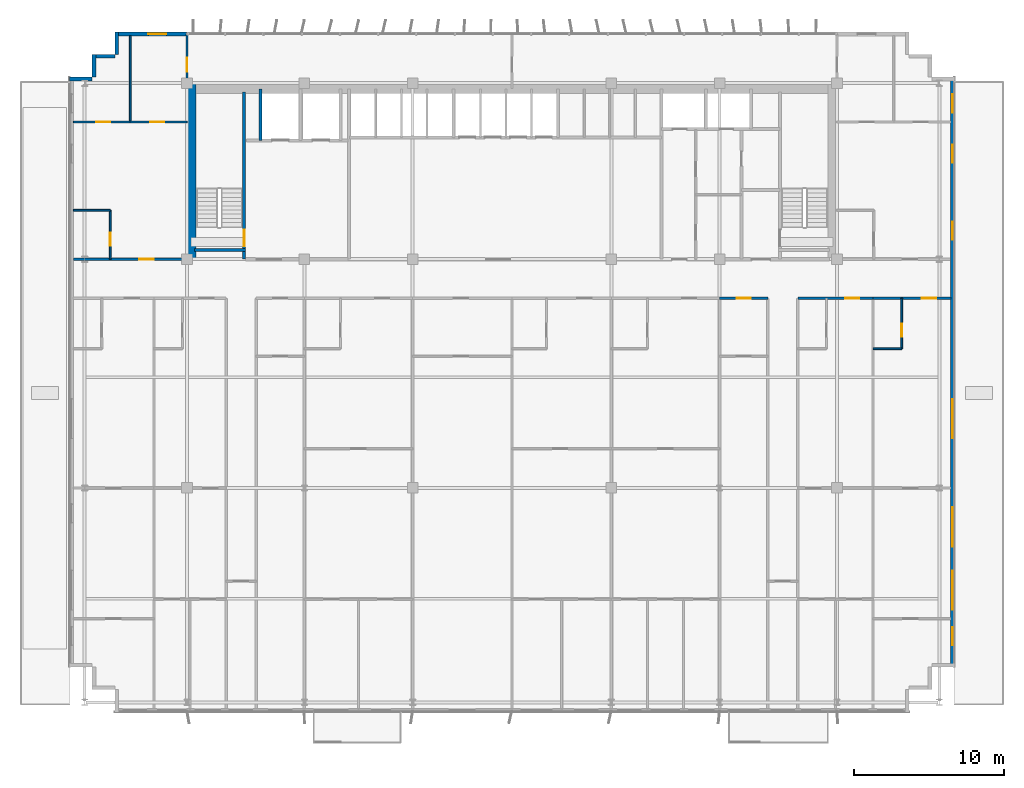
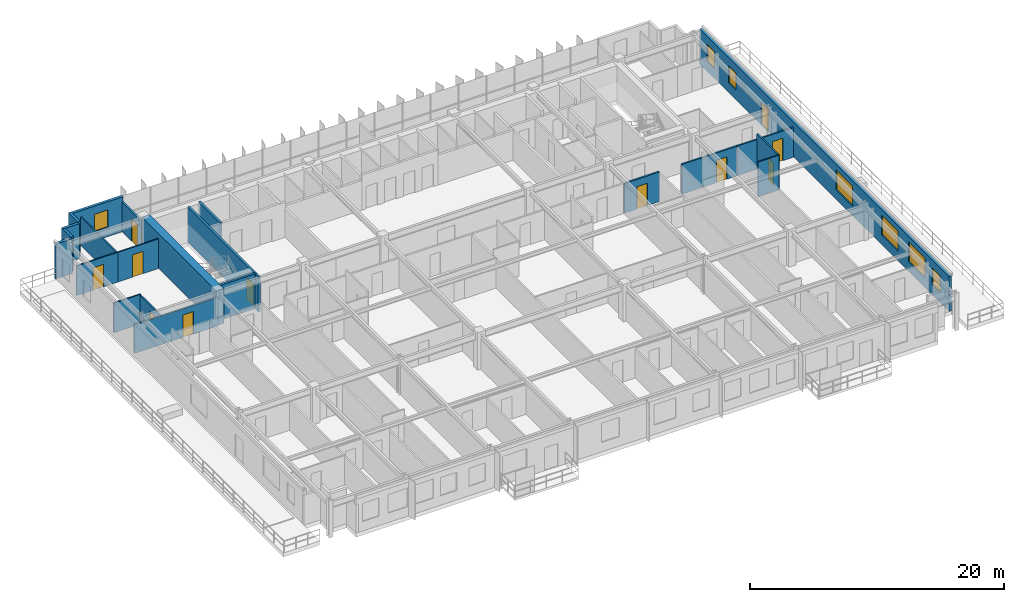
# One storey, part 17 of 22: 22 walls, 11 doors, 7 windows, 18 openings.
"""IFC4 building model written with IfcOpenShell, lengths in metres."""

from ifc_helpers import new_model, si_unit, direction, frame, frame_2d, origin, place, context, subcontext, project, spatial, rectangle, extrude, source, transform, mapped, material, layer, layer_set, type_object, element, fill, save


model = new_model("IFC4")

# Units and contexts
model_context = context("Model", 3, precision=1e-05, world=origin(), true_north=direction((0.0, 1.0)))
body_context = subcontext(model_context, "Body", "Model", "MODEL_VIEW")
ifc_project = project(units=[si_unit("LENGTHUNIT", "METRE"), si_unit("AREAUNIT", "SQUARE_METRE"), si_unit("VOLUMEUNIT", "CUBIC_METRE"), si_unit("PLANEANGLEUNIT", "RADIAN"), si_unit("MASSUNIT", "GRAM", prefix="KILO")], contexts=[model_context])

# Site, building, storey
site_placement = place(None, origin())
site = spatial("IfcSite", under=ifc_project, at=site_placement, CompositionType="ELEMENT")
building_placement = place(site_placement, origin())
building = spatial("IfcBuilding", under=site, at=building_placement, Name="Trelvane Seafront Commons", CompositionType="ELEMENT")
storey_placement = place(building_placement, frame((0.0, 0.0, 132.10009765625)))
storey = spatial("IfcBuildingStorey", under=building, at=storey_placement, Name="L34", CompositionType="ELEMENT", Elevation=132.10009765625)

# Wall, opening, window
ifc_material_1 = material(Name="Precast concrete C40/50", Category="concrete")
ifc_layer_1 = layer(ifc_material_1, 0.239990234375, Name="ARCH-WALL-EXT240")
ifc_layer_set_1 = layer_set([ifc_layer_1], Name="Precast concrete C40/50")
wall_type_1 = type_object("IfcWallType", Name="ARCH-WALL-EXT240", PredefinedType="SOLIDWALL", material=ifc_layer_set_1)
wall_1_placement = place(storey_placement, frame((10.89990234375, 48.3701171875, 0.0), z_axis=(0.0, 0.0, 1.0), x_axis=(1.0, 0.0, 0.0)))
wall_1 = element("IfcWall", 1, at=wall_1_placement, inside=storey, type_object=wall_type_1, Name="EW-L34-NW-0653", PredefinedType="SOLIDWALL", context=body_context, shape_type="SweptSolid", body=[
    extrude(rectangle(XDim=4.7001953125, YDim=0.239990234375, at=frame_2d((2.35009765625, 0.0))), origin(), (0.0, 0.0, 1.0), 3.349853515625),
])
opening_1_placement = place(wall_1_placement, frame((2.132080078125, 0.0, 0.89990234375)))
opening_1 = element("IfcOpeningElement", 2, at=opening_1_placement, cuts=wall_1, Name="Opening W05", PredefinedType="OPENING", context=body_context, shape_type="SweptSolid", body=[
    extrude(rectangle(XDim=1.199951171875, YDim=1.64990234375, at=frame_2d((0.60009765625, 0.824951171875))), frame((0.0, 0.1298828125, 0.0), z_axis=(0.0, -1.0, 0.0), x_axis=(1.0, 0.0, 0.0)), (0.0, 0.0, 1.0), 0.260009765625),
])
ifc_material_2 = material(Name="Low-E coastal double glazing", Category="glass")
window_type_1 = type_object("IfcWindowType", Name="ARCH-WIN-W05", PartitioningType="SINGLE_PANEL", PredefinedType="WINDOW", material=ifc_material_2)
shared_shape_1 = source(origin(), body_context, "Body", "SweptSolid", [
    extrude(rectangle(XDim=1.199951171875, YDim=1.64990234375, at=frame_2d((0.60009765625, 0.824951171875))), frame((0.0, 0.030029296875, 0.0), z_axis=(0.0, -1.0, 0.0), x_axis=(1.0, 0.0, 0.0)), (0.0, 0.0, 1.0), 0.06005859375),
])
window_1_placement = place(opening_1_placement, origin())
window_1 = element("IfcWindow", 3, at=window_1_placement, inside=storey, type_object=window_type_1, Name="WIN-L34-00759", OverallHeight=1.64990234375, OverallWidth=1.199951171875, PartitioningType="SINGLE_PANEL", PredefinedType="WINDOW", context=body_context, shape_type="MappedRepresentation", body=[
    mapped(shared_shape_1, transform((0.0, 0.0, 0.0), x_axis=(1.0, 0.0, 0.0), y_axis=(0.0, 1.0, 0.0), z_axis=(0.0, 0.0, 1.0), scale=1.0)),
])
fill(opening_1, window_1)

# Walls
for number, where, z_axis, x_axis, name in (
    (4, (7.800048828125, 45.3798828125, 0.0), (0.0, 0.0, 1.0), (1.0, 0.0, 0.0), "EW-L34-00659"),
    (5, (9.419921875, 45.5, 0.0), (0.0, 0.0, 1.0), (0.0, 1.0, 0.0), "EW-L34-00660"),
    (6, (9.300048828125, 46.8798828125, 0.0), (0.0, 0.0, 1.0), (1.0, 0.0, 0.0), "EW-L34-00661"),
    (7, (10.919921875, 47.0, 0.0), (0.0, 0.0, 1.0), (0.0, 1.0, 0.0), "EW-L34-00662"),
):
    element("IfcWall", number, at=place(storey_placement, frame(where, z_axis=z_axis, x_axis=x_axis)), inside=storey, type_object=wall_type_1, Name=name, PredefinedType="SOLIDWALL", context=body_context, shape_type="SweptSolid", body=[
        extrude(rectangle(XDim=1.5, YDim=0.239990234375, at=frame_2d((0.75, 0.0))), origin(), (0.0, 0.0, 1.0), 3.349853515625),
    ])

# Wall, openings, windows, door
wall_2_placement = place(storey_placement, frame((66.47998046875, 45.5, 0.0), z_axis=(0.0, 0.0, 1.0), x_axis=(0.0, -1.0, 0.0)))
wall_2 = element("IfcWall", 8, at=wall_2_placement, inside=storey, type_object=wall_type_1, Name="EW-L34-00667", PredefinedType="SOLIDWALL", context=body_context, shape_type="SweptSolid", body=[
    extrude(rectangle(XDim=39.199951171875, YDim=0.239990234375, at=frame_2d((19.60009765625, 0.0))), origin(), (0.0, 0.0, 1.0), 3.349853515625),
])
opening_2_placement = place(wall_2_placement, frame((9.60009765625, 0.0, 0.0)))
opening_2 = element("IfcOpeningElement", 9, at=opening_2_placement, cuts=wall_2, Name="Opening TD-L34-80", PredefinedType="OPENING", context=body_context, shape_type="SweptSolid", body=[
    extrude(rectangle(XDim=1.199951171875, YDim=2.199951171875, at=frame_2d((0.60009765625, 1.10009765625))), frame((0.0, 0.1298828125, 0.0), z_axis=(0.0, -1.0, 0.0), x_axis=(1.0, 0.0, 0.0)), (0.0, 0.0, 1.0), 0.260009765625),
])
opening_3_placement = place(wall_2_placement, frame((36.550048828125, 0.0, 0.919921875)))
opening_3 = element("IfcOpeningElement", 10, at=opening_3_placement, cuts=wall_2, Name="Opening W05", PredefinedType="OPENING", context=body_context, shape_type="SweptSolid", body=[
    extrude(rectangle(XDim=1.199951171875, YDim=1.64990234375, at=frame_2d((0.60009765625, 0.824951171875))), frame((0.0, 0.1298828125, 0.0), z_axis=(0.0, -1.0, 0.0), x_axis=(1.0, 0.0, 0.0)), (0.0, 0.0, 1.0), 0.260009765625),
])
opening_4_placement = place(wall_2_placement, frame((32.800048828125, 0.0, 0.919921875)))
opening_4 = element("IfcOpeningElement", 11, at=opening_4_placement, cuts=wall_2, Name="Opening W04", PredefinedType="OPENING", context=body_context, shape_type="SweptSolid", body=[
    extrude(rectangle(XDim=2.60009765625, YDim=1.89990234375, at=frame_2d((1.300048828125, 0.949951171875))), frame((0.0, 0.1298828125, 0.0), z_axis=(0.0, -1.0, 0.0), x_axis=(1.0, 0.0, 0.0)), (0.0, 0.0, 1.0), 0.260009765625),
])
opening_5_placement = place(wall_2_placement, frame((28.60009765625, 0.0, 0.919921875)))
opening_5 = element("IfcOpeningElement", 12, at=opening_5_placement, cuts=wall_2, Name="Opening W04", PredefinedType="OPENING", context=body_context, shape_type="SweptSolid", body=[
    extrude(rectangle(XDim=2.60009765625, YDim=1.89990234375, at=frame_2d((1.300048828125, 0.949951171875))), frame((0.0, 0.1298828125, 0.0), z_axis=(0.0, -1.0, 0.0), x_axis=(1.0, 0.0, 0.0)), (0.0, 0.0, 1.0), 0.260009765625),
])
opening_6_placement = place(wall_2_placement, frame((21.39990234375, 0.0, 0.919921875)))
opening_6 = element("IfcOpeningElement", 13, at=opening_6_placement, cuts=wall_2, Name="Opening W04", PredefinedType="OPENING", context=body_context, shape_type="SweptSolid", body=[
    extrude(rectangle(XDim=2.60009765625, YDim=1.89990234375, at=frame_2d((1.300048828125, 0.949951171875))), frame((0.0, 0.1298828125, 0.0), z_axis=(0.0, -1.0, 0.0), x_axis=(1.0, 0.0, 0.0)), (0.0, 0.0, 1.0), 0.260009765625),
])
opening_7_placement = place(wall_2_placement, frame((4.5, 0.0, 0.919921875)))
opening_7 = element("IfcOpeningElement", 14, at=opening_7_placement, cuts=wall_2, Name="Opening W05", PredefinedType="OPENING", context=body_context, shape_type="SweptSolid", body=[
    extrude(rectangle(XDim=1.199951171875, YDim=1.64990234375, at=frame_2d((0.60009765625, 0.824951171875))), frame((0.0, 0.1298828125, 0.0), z_axis=(0.0, -1.0, 0.0), x_axis=(1.0, 0.0, 0.0)), (0.0, 0.0, 1.0), 0.260009765625),
])
opening_8_placement = place(wall_2_placement, frame((1.14990234375, 0.0, 0.919921875)))
opening_8 = element("IfcOpeningElement", 15, at=opening_8_placement, cuts=wall_2, Name="Opening W05", PredefinedType="OPENING", context=body_context, shape_type="SweptSolid", body=[
    extrude(rectangle(XDim=1.199951171875, YDim=1.64990234375, at=frame_2d((0.60009765625, 0.824951171875))), frame((0.0, 0.1298828125, 0.0), z_axis=(0.0, -1.0, 0.0), x_axis=(1.0, 0.0, 0.0)), (0.0, 0.0, 1.0), 0.260009765625),
])
window_type_2 = type_object("IfcWindowType", Name="ARCH-WIN-W04", PartitioningType="SINGLE_PANEL", PredefinedType="WINDOW", material=ifc_material_2)
shared_shape_2 = source(origin(), body_context, "Body", "SweptSolid", [
    extrude(rectangle(XDim=2.60009765625, YDim=1.89990234375, at=frame_2d((1.300048828125, 0.949951171875))), frame((0.0, 0.030029296875, 0.0), z_axis=(0.0, -1.0, 0.0), x_axis=(1.0, 0.0, 0.0)), (0.0, 0.0, 1.0), 0.06005859375),
])
window_2_placement = place(opening_4_placement, origin())
window_2 = element("IfcWindow", 16, at=window_2_placement, inside=storey, type_object=window_type_2, Name="WIN-L34-EW-00767", OverallHeight=1.89990234375, OverallWidth=2.60009765625, PartitioningType="SINGLE_PANEL", PredefinedType="WINDOW", context=body_context, shape_type="MappedRepresentation", body=[
    mapped(shared_shape_2, transform((0.0, 0.0, 0.0), x_axis=(1.0, 0.0, 0.0), y_axis=(0.0, 1.0, 0.0), z_axis=(0.0, 0.0, 1.0), scale=1.0)),
])
fill(opening_4, window_2)
window_3_placement = place(opening_5_placement, origin())
window_3 = element("IfcWindow", 17, at=window_3_placement, inside=storey, type_object=window_type_2, Name="WIN-L34-EW-00768", OverallHeight=1.89990234375, OverallWidth=2.60009765625, PartitioningType="SINGLE_PANEL", PredefinedType="WINDOW", context=body_context, shape_type="MappedRepresentation", body=[
    mapped(shared_shape_2, transform((0.0, 0.0, 0.0), x_axis=(1.0, 0.0, 0.0), y_axis=(0.0, 1.0, 0.0), z_axis=(0.0, 0.0, 1.0), scale=1.0)),
])
fill(opening_5, window_3)
window_4_placement = place(opening_6_placement, origin())
window_4 = element("IfcWindow", 18, at=window_4_placement, inside=storey, type_object=window_type_2, Name="WIN-L34-EW-00769", OverallHeight=1.89990234375, OverallWidth=2.60009765625, PartitioningType="SINGLE_PANEL", PredefinedType="WINDOW", context=body_context, shape_type="MappedRepresentation", body=[
    mapped(shared_shape_2, transform((0.0, 0.0, 0.0), x_axis=(1.0, 0.0, 0.0), y_axis=(0.0, 1.0, 0.0), z_axis=(0.0, 0.0, 1.0), scale=1.0)),
])
fill(opening_6, window_4)
window_5_placement = place(opening_3_placement, origin())
window_5 = element("IfcWindow", 19, at=window_5_placement, inside=storey, type_object=window_type_1, Name="WIN-L34-EW-00766", OverallHeight=1.64990234375, OverallWidth=1.199951171875, PartitioningType="SINGLE_PANEL", PredefinedType="WINDOW", context=body_context, shape_type="MappedRepresentation", body=[
    mapped(shared_shape_1, transform((0.0, 0.0, 0.0), x_axis=(1.0, 0.0, 0.0), y_axis=(0.0, 1.0, 0.0), z_axis=(0.0, 0.0, 1.0), scale=1.0)),
])
fill(opening_3, window_5)
window_6_placement = place(opening_7_placement, origin())
window_6 = element("IfcWindow", 20, at=window_6_placement, inside=storey, type_object=window_type_1, Name="WIN-L34-EW-00770", OverallHeight=1.64990234375, OverallWidth=1.199951171875, PartitioningType="SINGLE_PANEL", PredefinedType="WINDOW", context=body_context, shape_type="MappedRepresentation", body=[
    mapped(shared_shape_1, transform((0.0, 0.0, 0.0), x_axis=(1.0, 0.0, 0.0), y_axis=(0.0, 1.0, 0.0), z_axis=(0.0, 0.0, 1.0), scale=1.0)),
])
fill(opening_7, window_6)
window_7_placement = place(opening_8_placement, origin())
window_7 = element("IfcWindow", 21, at=window_7_placement, inside=storey, type_object=window_type_1, Name="WIN-L34-EW-00771", OverallHeight=1.64990234375, OverallWidth=1.199951171875, PartitioningType="SINGLE_PANEL", PredefinedType="WINDOW", context=body_context, shape_type="MappedRepresentation", body=[
    mapped(shared_shape_1, transform((0.0, 0.0, 0.0), x_axis=(1.0, 0.0, 0.0), y_axis=(0.0, 1.0, 0.0), z_axis=(0.0, 0.0, 1.0), scale=1.0)),
])
fill(opening_8, window_7)
ifc_material_3 = material(Name="Powder-coated aluminium frame", Category="aluminium")
door_type_1 = type_object("IfcDoorType", Name="ARCH-DR-BAL1200", OperationType="NOTDEFINED", PredefinedType="DOOR", material=ifc_material_3)
shared_shape_3 = source(origin(), body_context, "Body", "SweptSolid", [
    extrude(rectangle(XDim=1.199951171875, YDim=2.199951171875, at=frame_2d((0.60009765625, 1.10009765625))), frame((0.0, 0.02490234375, 0.0), z_axis=(0.0, -1.0, 0.0), x_axis=(1.0, 0.0, 0.0)), (0.0, 0.0, 1.0), 0.050048828125),
])
door_1_placement = place(opening_2_placement, origin())
door_1 = element("IfcDoor", 22, at=door_1_placement, inside=storey, type_object=door_type_1, Name="L34 Setback Terrace Access Door", OperationType="SINGLE_SWING_RIGHT", OverallHeight=2.199951171875, OverallWidth=1.199951171875, PredefinedType="DOOR", context=body_context, shape_type="MappedRepresentation", body=[
    mapped(shared_shape_3, transform((0.0, 0.0, 0.0), x_axis=(1.0, 0.0, 0.0), y_axis=(0.0, 1.0, 0.0), z_axis=(0.0, 0.0, 1.0), scale=1.0)),
])
fill(opening_2, door_1)

# Wall, opening, door
ifc_material_4 = material(Name="Gypsum Drywall Acoustic Partition")
ifc_layer_2 = layer(ifc_material_4, 0.1201171875, Name="ARCH-WALL-PART120")
ifc_layer_set_2 = layer_set([ifc_layer_2], Name="Gypsum Drywall Acoustic Partition")
wall_type_2 = type_object("IfcWallType", Name="ARCH-WALL-PART120", PredefinedType="PARTITIONING", material=ifc_layer_set_2)
wall_3_placement = place(storey_placement, frame((10.5, 33.39990234375, 0.0), z_axis=(0.0, 0.0, 1.0), x_axis=(0.0, 1.0, 0.0)))
wall_3 = element("IfcWall", 23, at=wall_3_placement, inside=storey, type_object=wall_type_2, Name="W-L34-NW-BE-038", PredefinedType="PARTITIONING", context=body_context, shape_type="SweptSolid", body=[
    extrude(rectangle(XDim=3.25, YDim=0.1201171875, at=frame_2d((1.625, 0.0))), origin(), (0.0, 0.0, 1.0), 2.75),
])
opening_9_placement = place(wall_3_placement, frame((0.89990234375, 0.0, 0.0)))
opening_9 = element("IfcOpeningElement", 24, at=opening_9_placement, cuts=wall_3, Name="Opening D-L34-18", PredefinedType="OPENING", context=body_context, shape_type="SweptSolid", body=[
    extrude(rectangle(XDim=0.85009765625, YDim=2.10009765625, at=frame_2d((0.425048828125, 1.050048828125))), frame((0.0, 0.070068359375, 0.0), z_axis=(0.0, -1.0, 0.0), x_axis=(1.0, 0.0, 0.0)), (0.0, 0.0, 1.0), 0.14013671875),
])
ifc_material_5 = material(Name="Acoustic timber door leaf", Category="wood")
door_type_2 = type_object("IfcDoorType", Name="ARCH-DR-INT850", OperationType="NOTDEFINED", PredefinedType="DOOR", material=ifc_material_5)
shared_shape_4 = source(origin(), body_context, "Body", "SweptSolid", [
    extrude(rectangle(XDim=0.85009765625, YDim=2.10009765625, at=frame_2d((0.425048828125, 1.050048828125))), frame((0.0, 0.02490234375, 0.0), z_axis=(0.0, -1.0, 0.0), x_axis=(1.0, 0.0, 0.0)), (0.0, 0.0, 1.0), 0.050048828125),
])
door_2_placement = place(opening_9_placement, origin())
door_2 = element("IfcDoor", 25, at=door_2_placement, inside=storey, type_object=door_type_2, Name="L34 Door 18", OperationType="SINGLE_SWING_RIGHT", OverallHeight=2.10009765625, OverallWidth=0.85009765625, PredefinedType="DOOR", context=body_context, shape_type="MappedRepresentation", body=[
    mapped(shared_shape_4, transform((0.0, 0.0, 0.0), x_axis=(1.0, 0.0, 0.0), y_axis=(0.0, 1.0, 0.0), z_axis=(0.0, 0.0, 1.0), scale=1.0)),
])
fill(opening_9, door_2)

# Wall
wall_4_placement = place(storey_placement, frame((8.050048828125, 36.64990234375, 0.0), z_axis=(0.0, 0.0, 1.0), x_axis=(1.0, 0.0, 0.0)))
element("IfcWall", 26, at=wall_4_placement, inside=storey, type_object=wall_type_2, Name="W-L34-NW-BN-039", PredefinedType="PARTITIONING", context=body_context, shape_type="SweptSolid", body=[
    extrude(rectangle(XDim=2.449951171875, YDim=0.1201171875, at=frame_2d((1.22509765625, 0.0))), origin(), (0.0, 0.0, 1.0), 2.849853515625),
])

# Wall, opening, door
wall_5_placement = place(storey_placement, frame((8.050048828125, 42.52001953125, 0.0), z_axis=(0.0, 0.0, 1.0), x_axis=(1.0, 0.0, 0.0)))
wall_5 = element("IfcWall", 27, at=wall_5_placement, inside=storey, type_object=wall_type_2, Name="W-L34-NW-KB1-040", PredefinedType="PARTITIONING", context=body_context, shape_type="SweptSolid", body=[
    extrude(rectangle(XDim=3.77490234375, YDim=0.1201171875, at=frame_2d((1.887451171875, 0.0))), origin(), (0.0, 0.0, 1.0), 2.849853515625),
])
opening_10_placement = place(wall_5_placement, frame((1.506103515625, 0.0, 0.0)))
opening_10 = element("IfcOpeningElement", 28, at=opening_10_placement, cuts=wall_5, Name="Opening D-L34-19", PredefinedType="OPENING", context=body_context, shape_type="SweptSolid", body=[
    extrude(rectangle(XDim=0.949951171875, YDim=2.14990234375, at=frame_2d((0.47509765625, 1.074951171875))), frame((0.0, 0.070068359375, 0.0), z_axis=(0.0, -1.0, 0.0), x_axis=(1.0, 0.0, 0.0)), (0.0, 0.0, 1.0), 0.14013671875),
])
door_type_3 = type_object("IfcDoorType", Name="ARCH-DR-INT950", OperationType="NOTDEFINED", PredefinedType="DOOR", material=ifc_material_5)
shared_shape_5 = source(origin(), body_context, "Body", "SweptSolid", [
    extrude(rectangle(XDim=0.949951171875, YDim=2.14990234375, at=frame_2d((0.47509765625, 1.074951171875))), frame((0.0, 0.02490234375, 0.0), z_axis=(0.0, -1.0, 0.0), x_axis=(1.0, 0.0, 0.0)), (0.0, 0.0, 1.0), 0.050048828125),
])
door_3_placement = place(opening_10_placement, origin())
door_3 = element("IfcDoor", 29, at=door_3_placement, inside=storey, type_object=door_type_3, Name="L34 Door 19", OperationType="SINGLE_SWING_LEFT", OverallHeight=2.14990234375, OverallWidth=0.949951171875, PredefinedType="DOOR", context=body_context, shape_type="MappedRepresentation", body=[
    mapped(shared_shape_5, transform((0.0, 0.0, 0.0), x_axis=(1.0, 0.0, 0.0), y_axis=(0.0, 1.0, 0.0), z_axis=(0.0, 0.0, 1.0), scale=1.0)),
])
fill(opening_10, door_3)

wall_6_placement = place(storey_placement, frame((11.824951171875, 42.52001953125, 0.0), z_axis=(0.0, 0.0, 1.0), x_axis=(1.0, 0.0, 0.0)))
wall_6 = element("IfcWall", 30, at=wall_6_placement, inside=storey, type_object=wall_type_2, Name="W-L34-NW-KB2-041", PredefinedType="PARTITIONING", context=body_context, shape_type="SweptSolid", body=[
    extrude(rectangle(XDim=3.775146484375, YDim=0.1201171875, at=frame_2d((1.8876953125, 0.0))), origin(), (0.0, 0.0, 1.0), 2.849853515625),
])
opening_11_placement = place(wall_6_placement, frame((1.319091796875, 0.0, 0.0)))
opening_11 = element("IfcOpeningElement", 31, at=opening_11_placement, cuts=wall_6, Name="Opening D-L34-20", PredefinedType="OPENING", context=body_context, shape_type="SweptSolid", body=[
    extrude(rectangle(XDim=0.949951171875, YDim=2.14990234375, at=frame_2d((0.47509765625, 1.074951171875))), frame((0.0, 0.070068359375, 0.0), z_axis=(0.0, -1.0, 0.0), x_axis=(1.0, 0.0, 0.0)), (0.0, 0.0, 1.0), 0.14013671875),
])
door_4_placement = place(opening_11_placement, origin())
door_4 = element("IfcDoor", 32, at=door_4_placement, inside=storey, type_object=door_type_3, Name="L34 Door 20", OperationType="SINGLE_SWING_RIGHT", OverallHeight=2.14990234375, OverallWidth=0.949951171875, PredefinedType="DOOR", context=body_context, shape_type="MappedRepresentation", body=[
    mapped(shared_shape_5, transform((0.0, 0.0, 0.0), x_axis=(1.0, 0.0, 0.0), y_axis=(0.0, 1.0, 0.0), z_axis=(0.0, 0.0, 1.0), scale=1.0)),
])
fill(opening_11, door_4)

# Wall
wall_7_placement = place(storey_placement, frame((11.824951171875, 42.52001953125, 0.0), z_axis=(0.0, 0.0, 1.0), x_axis=(0.0, 1.0, 0.0)))
element("IfcWall", 33, at=wall_7_placement, inside=storey, type_object=wall_type_2, Name="W-L34-NW-KBDV-042", PredefinedType="PARTITIONING", context=body_context, shape_type="SweptSolid", body=[
    extrude(rectangle(XDim=5.739990234375, YDim=0.1201171875, at=frame_2d((2.8701171875, 0.0))), origin(), (0.0, 0.0, 1.0), 2.75),
])

# Wall, opening, door
wall_8_placement = place(storey_placement, frame((63.10009765625, 27.449951171875, 0.0), z_axis=(0.0, 0.0, 1.0), x_axis=(0.0, 1.0, 0.0)))
wall_8 = element("IfcWall", 34, at=wall_8_placement, inside=storey, type_object=wall_type_2, Name="W-L34-U12-BE-115", PredefinedType="PARTITIONING", context=body_context, shape_type="SweptSolid", body=[
    extrude(rectangle(XDim=3.35009765625, YDim=0.1201171875, at=frame_2d((1.675048828125, 0.0))), origin(), (0.0, 0.0, 1.0), 3.349853515625),
])
opening_12_placement = place(wall_8_placement, frame((0.800048828125, 0.0, 0.0)))
opening_12 = element("IfcOpeningElement", 35, at=opening_12_placement, cuts=wall_8, Name="Opening D-L34-68", PredefinedType="OPENING", context=body_context, shape_type="SweptSolid", body=[
    extrude(rectangle(XDim=0.85009765625, YDim=2.10009765625, at=frame_2d((0.425048828125, 1.050048828125))), frame((0.0, 0.070068359375, 0.0), z_axis=(0.0, -1.0, 0.0), x_axis=(1.0, 0.0, 0.0)), (0.0, 0.0, 1.0), 0.14013671875),
])
door_5_placement = place(opening_12_placement, origin())
door_5 = element("IfcDoor", 36, at=door_5_placement, inside=storey, type_object=door_type_2, Name="L34 Door 68", OperationType="SINGLE_SWING_RIGHT", OverallHeight=2.10009765625, OverallWidth=0.85009765625, PredefinedType="DOOR", context=body_context, shape_type="MappedRepresentation", body=[
    mapped(shared_shape_4, transform((0.0, 0.0, 0.0), x_axis=(1.0, 0.0, 0.0), y_axis=(0.0, 1.0, 0.0), z_axis=(0.0, 0.0, 1.0), scale=1.0)),
])
fill(opening_12, door_5)

# Wall
wall_9_placement = place(storey_placement, frame((61.199951171875, 27.449951171875, 0.0), z_axis=(0.0, 0.0, 1.0), x_axis=(1.0, 0.0, 0.0)))
element("IfcWall", 37, at=wall_9_placement, inside=storey, type_object=wall_type_2, Name="W-L34-U12-BS-116", PredefinedType="PARTITIONING", context=body_context, shape_type="SweptSolid", body=[
    extrude(rectangle(XDim=1.900146484375, YDim=0.1201171875, at=frame_2d((0.9501953125, 0.0))), origin(), (0.0, 0.0, 1.0), 3.349853515625),
])

# Wall, opening, door
ifc_layer_3 = layer(ifc_material_4, 0.14990234375, Name="ARCH-WALL-PART150")
ifc_layer_set_3 = layer_set([ifc_layer_3], Name="Gypsum Drywall Acoustic Partition")
wall_type_3 = type_object("IfcWallType", Name="ARCH-WALL-PART150", PredefinedType="PARTITIONING", material=ifc_layer_set_3)
wall_10_placement = place(storey_placement, frame((8.050048828125, 33.39990234375, 0.0), z_axis=(0.0, 0.0, 1.0), x_axis=(1.0, 0.0, 0.0)))
wall_10 = element("IfcWall", 38, at=wall_10_placement, inside=storey, type_object=wall_type_3, Name="W-L34-NW-ENT-043", PredefinedType="PARTITIONING", context=body_context, shape_type="SweptSolid", body=[
    extrude(rectangle(XDim=7.550048828125, YDim=0.14990234375, at=frame_2d((3.77490234375, 0.0))), origin(), (0.0, 0.0, 1.0), 2.75),
])
opening_13_placement = place(wall_10_placement, frame((4.375, 0.0, 0.0)))
opening_13 = element("IfcOpeningElement", 39, at=opening_13_placement, cuts=wall_10, Name="Opening FD-L34-21", PredefinedType="OPENING", context=body_context, shape_type="SweptSolid", body=[
    extrude(rectangle(XDim=0.949951171875, YDim=2.14990234375, at=frame_2d((0.47509765625, 1.074951171875))), frame((0.0, 0.0849609375, 0.0), z_axis=(0.0, -1.0, 0.0), x_axis=(1.0, 0.0, 0.0)), (0.0, 0.0, 1.0), 0.169921875),
])
door_type_4 = type_object("IfcDoorType", Name="ARCH-DR-FD60-950", OperationType="NOTDEFINED", PredefinedType="DOOR", material=ifc_material_3)
door_6_placement = place(opening_13_placement, origin())
door_6 = element("IfcDoor", 40, at=door_6_placement, inside=storey, type_object=door_type_4, Name="L34 NW Flat Entrance Door", OperationType="SINGLE_SWING_LEFT", OverallHeight=2.14990234375, OverallWidth=0.949951171875, PredefinedType="DOOR", context=body_context, shape_type="MappedRepresentation", body=[
    mapped(shared_shape_5, transform((0.0, 0.0, 0.0), x_axis=(1.0, 0.0, 0.0), y_axis=(0.0, 1.0, 0.0), z_axis=(0.0, 0.0, 1.0), scale=1.0)),
])
fill(opening_13, door_6)

wall_11_placement = place(storey_placement, frame((15.60009765625, 44.75, 0.0), z_axis=(0.0, 0.0, 1.0), x_axis=(0.0, 1.0, 0.0)))
wall_11 = element("IfcWall", 41, at=wall_11_placement, inside=storey, type_object=wall_type_3, Name="W-L34-N-LINK-W-051", PredefinedType="PARTITIONING", context=body_context, shape_type="SweptSolid", body=[
    extrude(rectangle(XDim=3.610107421875, YDim=0.14990234375, at=frame_2d((1.80517578125, 0.0))), origin(), (0.0, 0.0, 1.0), 2.849853515625),
])
opening_14_placement = place(wall_11_placement, frame((1.10009765625, 0.0, 0.0)))
opening_14 = element("IfcOpeningElement", 42, at=opening_14_placement, cuts=wall_11, Name="Opening FD-L34-27", PredefinedType="OPENING", context=body_context, shape_type="SweptSolid", body=[
    extrude(rectangle(XDim=0.949951171875, YDim=2.14990234375, at=frame_2d((0.47509765625, 1.074951171875))), frame((0.0, 0.0849609375, 0.0), z_axis=(0.0, -1.0, 0.0), x_axis=(1.0, 0.0, 0.0)), (0.0, 0.0, 1.0), 0.169921875),
])
door_7_placement = place(opening_14_placement, origin())
door_7 = element("IfcDoor", 43, at=door_7_placement, inside=storey, type_object=door_type_4, Name="L34 Door 27", OperationType="SINGLE_SWING_LEFT", OverallHeight=2.14990234375, OverallWidth=0.949951171875, PredefinedType="DOOR", context=body_context, shape_type="MappedRepresentation", body=[
    mapped(shared_shape_5, transform((0.0, 0.0, 0.0), x_axis=(1.0, 0.0, 0.0), y_axis=(0.0, 1.0, 0.0), z_axis=(0.0, 0.0, 1.0), scale=1.0)),
])
fill(opening_14, door_7)

wall_12_placement = place(storey_placement, frame((51.0, 30.800048828125, 0.0), z_axis=(0.0, 0.0, 1.0), x_axis=(1.0, 0.0, 0.0)))
wall_12 = element("IfcWall", 44, at=wall_12_placement, inside=storey, type_object=wall_type_3, Name="W-L34-CS-BAY-9-102", PredefinedType="PARTITIONING", context=body_context, shape_type="SweptSolid", body=[
    extrude(rectangle(XDim=3.199951171875, YDim=0.14990234375, at=frame_2d((1.60009765625, 0.0))), origin(), (0.0, 0.0, 1.0), 2.849853515625),
])
opening_15_placement = place(wall_12_placement, frame((1.125, 0.0, 0.0)))
opening_15 = element("IfcOpeningElement", 45, at=opening_15_placement, cuts=wall_12, Name="Opening FD-L34-59", PredefinedType="OPENING", context=body_context, shape_type="SweptSolid", body=[
    extrude(rectangle(XDim=0.949951171875, YDim=2.14990234375, at=frame_2d((0.47509765625, 1.074951171875))), frame((0.0, 0.0849609375, 0.0), z_axis=(0.0, -1.0, 0.0), x_axis=(1.0, 0.0, 0.0)), (0.0, 0.0, 1.0), 0.169921875),
])
door_8_placement = place(opening_15_placement, origin())
door_8 = element("IfcDoor", 46, at=door_8_placement, inside=storey, type_object=door_type_4, Name="L34 Bay 09 Entrance Door", OperationType="SINGLE_SWING_LEFT", OverallHeight=2.14990234375, OverallWidth=0.949951171875, PredefinedType="DOOR", context=body_context, shape_type="MappedRepresentation", body=[
    mapped(shared_shape_5, transform((0.0, 0.0, 0.0), x_axis=(1.0, 0.0, 0.0), y_axis=(0.0, 1.0, 0.0), z_axis=(0.0, 0.0, 1.0), scale=1.0)),
])
fill(opening_15, door_8)

wall_13_placement = place(storey_placement, frame((56.199951171875, 30.800048828125, 0.0), z_axis=(0.0, 0.0, 1.0), x_axis=(1.0, 0.0, 0.0)))
wall_13 = element("IfcWall", 47, at=wall_13_placement, inside=storey, type_object=wall_type_3, Name="W-L34-CS-BAY-11-110", PredefinedType="PARTITIONING", context=body_context, shape_type="SweptSolid", body=[
    extrude(rectangle(XDim=5.0, YDim=0.14990234375, at=frame_2d((2.5, 0.0))), origin(), (0.0, 0.0, 1.0), 2.849853515625),
])
opening_16_placement = place(wall_13_placement, frame((3.14404296875, 0.0, 0.0)))
opening_16 = element("IfcOpeningElement", 48, at=opening_16_placement, cuts=wall_13, Name="Opening FD-L34-64", PredefinedType="OPENING", context=body_context, shape_type="SweptSolid", body=[
    extrude(rectangle(XDim=0.949951171875, YDim=2.14990234375, at=frame_2d((0.47509765625, 1.074951171875))), frame((0.0, 0.0849609375, 0.0), z_axis=(0.0, -1.0, 0.0), x_axis=(1.0, 0.0, 0.0)), (0.0, 0.0, 1.0), 0.169921875),
])
door_9_placement = place(opening_16_placement, origin())
door_9 = element("IfcDoor", 49, at=door_9_placement, inside=storey, type_object=door_type_4, Name="L34 Unit 11 Entrance Door", OperationType="SINGLE_SWING_RIGHT", OverallHeight=2.14990234375, OverallWidth=0.949951171875, PredefinedType="DOOR", context=body_context, shape_type="MappedRepresentation", body=[
    mapped(shared_shape_5, transform((0.0, 0.0, 0.0), x_axis=(1.0, 0.0, 0.0), y_axis=(0.0, 1.0, 0.0), z_axis=(0.0, 0.0, 1.0), scale=1.0)),
])
fill(opening_16, door_9)

wall_14_placement = place(storey_placement, frame((61.199951171875, 30.800048828125, 0.0), z_axis=(0.0, 0.0, 1.0), x_axis=(1.0, 0.0, 0.0)))
wall_14 = element("IfcWall", 50, at=wall_14_placement, inside=storey, type_object=wall_type_3, Name="W-L34-CS-BAY-12-117", PredefinedType="PARTITIONING", context=body_context, shape_type="SweptSolid", body=[
    extrude(rectangle(XDim=5.175048828125, YDim=0.14990234375, at=frame_2d((2.58740234375, 0.0))), origin(), (0.0, 0.0, 1.0), 2.849853515625),
])
opening_17_placement = place(wall_14_placement, frame((3.243896484375, 0.0, 0.0)))
opening_17 = element("IfcOpeningElement", 51, at=opening_17_placement, cuts=wall_14, Name="Opening FD-L34-69", PredefinedType="OPENING", context=body_context, shape_type="SweptSolid", body=[
    extrude(rectangle(XDim=0.949951171875, YDim=2.14990234375, at=frame_2d((0.47509765625, 1.074951171875))), frame((0.0, 0.0849609375, 0.0), z_axis=(0.0, -1.0, 0.0), x_axis=(1.0, 0.0, 0.0)), (0.0, 0.0, 1.0), 0.169921875),
])
door_10_placement = place(opening_17_placement, origin())
door_10 = element("IfcDoor", 52, at=door_10_placement, inside=storey, type_object=door_type_4, Name="L34 Unit 12 Entrance Door", OperationType="SINGLE_SWING_LEFT", OverallHeight=2.14990234375, OverallWidth=0.949951171875, PredefinedType="DOOR", context=body_context, shape_type="MappedRepresentation", body=[
    mapped(shared_shape_5, transform((0.0, 0.0, 0.0), x_axis=(1.0, 0.0, 0.0), y_axis=(0.0, 1.0, 0.0), z_axis=(0.0, 0.0, 1.0), scale=1.0)),
])
fill(opening_17, door_10)

# Walls
ifc_material_6 = material(Name="Concrete C40/50", Category="concrete")
ifc_layer_4 = layer(ifc_material_6, 0.199951171875, Name="ARCH-WALL-SHAFT200")
ifc_layer_set_4 = layer_set([ifc_layer_4], Name="Concrete C40/50")
wall_type_4 = type_object("IfcWallType", Name="ARCH-WALL-SHAFT200", PredefinedType="SOLIDWALL", material=ifc_layer_set_4)
wall_15_placement = place(storey_placement, frame((20.5, 41.300048828125, 0.0), z_axis=(0.0, 0.0, 1.0), x_axis=(0.0, 1.0, 0.0)))
element("IfcWall", 53, at=wall_15_placement, inside=storey, type_object=wall_type_4, Name="W-L34-FFL-SH-W-009", PredefinedType="SOLIDWALL", context=body_context, shape_type="SweptSolid", body=[
    extrude(rectangle(XDim=3.39990234375, YDim=0.199951171875, at=frame_2d((1.699951171875, 0.0))), origin(), (0.0, 0.0, 1.0), 3.349853515625),
])
ifc_material_7 = material(Name="Concrete C60/75", Category="concrete")
ifc_layer_5 = layer(ifc_material_7, 0.699951171875, Name="STR-WALL-CORE700")
ifc_layer_set_5 = layer_set([ifc_layer_5], Name="Concrete C60/75")
wall_type_5 = type_object("IfcWallType", Name="STR-WALL-CORE700", PredefinedType="SHEAR", material=ifc_layer_set_5)
wall_16_placement = place(storey_placement, frame((15.85009765625, 33.39990234375, 0.0), z_axis=(0.0, 0.0, 1.0), x_axis=(0.0, 1.0, 0.0)))
element("IfcWall", 54, at=wall_16_placement, inside=storey, type_object=wall_type_5, Name="W-L34-CW-END-002", PredefinedType="SHEAR", context=body_context, shape_type="SweptSolid", body=[
    extrude(rectangle(XDim=11.7001953125, YDim=0.699951171875, at=frame_2d((5.85009765625, 0.0))), origin(), (0.0, 0.0, 1.0), 3.349853515625),
])
ifc_material_8 = material(Name="Concrete C50/60", Category="concrete")
ifc_layer_6 = layer(ifc_material_8, 0.199951171875, Name="STR-WALL-STAIR200")
ifc_layer_set_6 = layer_set([ifc_layer_6], Name="Concrete C50/60")
wall_type_6 = type_object("IfcWallType", Name="STR-WALL-STAIR200", PredefinedType="SHEAR", material=ifc_layer_set_6)
wall_17_placement = place(storey_placement, frame((16.10009765625, 34.0, 0.0), z_axis=(0.0, 0.0, 1.0), x_axis=(1.0, 0.0, 0.0)))
element("IfcWall", 55, at=wall_17_placement, inside=storey, type_object=wall_type_6, Name="W-L34-ST1-S-004", PredefinedType="SHEAR", context=body_context, shape_type="SweptSolid", body=[
    extrude(rectangle(XDim=3.39990234375, YDim=0.199951171875, at=frame_2d((1.699951171875, 0.0))), origin(), (0.0, 0.0, 1.0), 3.349853515625),
])

# Wall, opening, door
wall_18_placement = place(storey_placement, frame((19.39990234375, 33.39990234375, 0.0), z_axis=(0.0, 0.0, 1.0), x_axis=(0.0, 1.0, 0.0)))
wall_18 = element("IfcWall", 56, at=wall_18_placement, inside=storey, type_object=wall_type_6, Name="W-L34-ST1-E-005", PredefinedType="SHEAR", context=body_context, shape_type="SweptSolid", body=[
    extrude(rectangle(XDim=11.10009765625, YDim=0.199951171875, at=frame_2d((5.550048828125, 0.0))), origin(), (0.0, 0.0, 1.0), 3.349853515625),
])
opening_18_placement = place(wall_18_placement, frame((0.85009765625, 0.0, 0.0)))
opening_18 = element("IfcOpeningElement", 57, at=opening_18_placement, cuts=wall_18, Name="Opening ST-D1-L34", PredefinedType="OPENING", context=body_context, shape_type="SweptSolid", body=[
    extrude(rectangle(XDim=1.10009765625, YDim=2.14990234375, at=frame_2d((0.550048828125, 1.074951171875))), frame((0.0, 0.10986328125, 0.0), z_axis=(0.0, -1.0, 0.0), x_axis=(1.0, 0.0, 0.0)), (0.0, 0.0, 1.0), 0.219970703125),
])
door_type_5 = type_object("IfcDoorType", Name="ARCH-DR-FD90-1100", OperationType="NOTDEFINED", PredefinedType="DOOR", material=ifc_material_3)
shared_shape_6 = source(origin(), body_context, "Body", "SweptSolid", [
    extrude(rectangle(XDim=1.10009765625, YDim=2.14990234375, at=frame_2d((0.550048828125, 1.074951171875))), frame((0.0, 0.02490234375, 0.0), z_axis=(0.0, -1.0, 0.0), x_axis=(1.0, 0.0, 0.0)), (0.0, 0.0, 1.0), 0.050048828125),
])
door_11_placement = place(opening_18_placement, origin())
door_11 = element("IfcDoor", 58, at=door_11_placement, inside=storey, type_object=door_type_5, Name="L34 Stair ST-1 Lobby Fire Door", OperationType="SINGLE_SWING_LEFT", OverallHeight=2.14990234375, OverallWidth=1.10009765625, PredefinedType="DOOR", context=body_context, shape_type="MappedRepresentation", body=[
    mapped(shared_shape_6, transform((0.0, 0.0, 0.0), x_axis=(1.0, 0.0, 0.0), y_axis=(0.0, 1.0, 0.0), z_axis=(0.0, 0.0, 1.0), scale=1.0)),
])
fill(opening_18, door_11)

save(model, "model.ifc")
